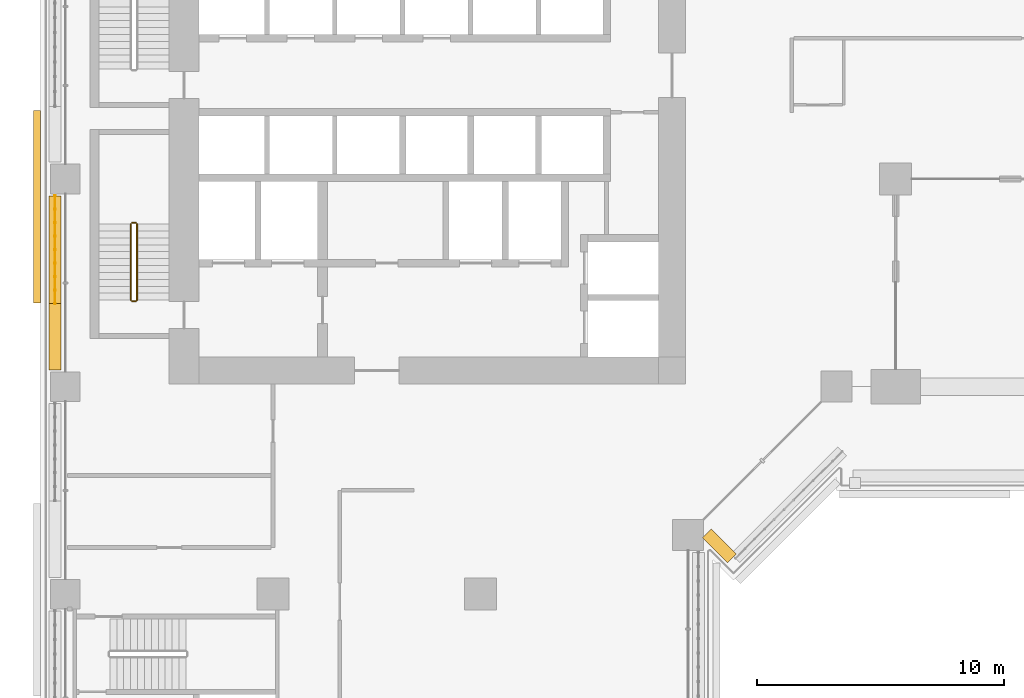
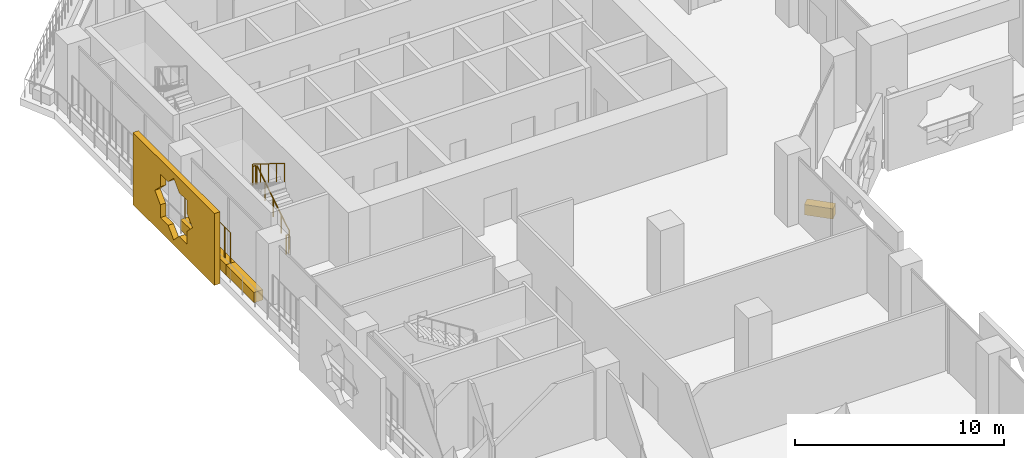
# One storey, part 20 of 27: 5 railings, 4 coverings.
"""IFC4 building model written with IfcOpenShell, lengths in metres."""

from ifc_helpers import new_model, si_unit, direction, frame, origin, origin_2d, place, context, subcontext, project, spatial, polyline, rectangle, circle, outline, extrude, material, material_profile, profile_set, type_object, element, save


model = new_model("IFC4")

# Units and contexts
model_context = context("Model", 3, precision=1e-05, world=origin(), true_north=direction((0.0, 1.0)))
body_context = subcontext(model_context, "Body", "Model", "MODEL_VIEW")
ifc_project = project(units=[si_unit("LENGTHUNIT", "METRE"), si_unit("AREAUNIT", "SQUARE_METRE"), si_unit("VOLUMEUNIT", "CUBIC_METRE"), si_unit("PLANEANGLEUNIT", "RADIAN"), si_unit("MASSUNIT", "GRAM", prefix="KILO")], contexts=[model_context])

# Site, building, storey
site_placement = place(None, origin())
site = spatial("IfcSite", under=ifc_project, at=site_placement, CompositionType="ELEMENT")
building_placement = place(site_placement, origin())
building = spatial("IfcBuilding", under=site, at=building_placement, Name="Kawkab Arch Medical Tower", CompositionType="ELEMENT")
storey_placement = place(building_placement, frame((0.0, 0.0, 39.199951171875)))
storey = spatial("IfcBuildingStorey", under=building, at=storey_placement, Name="L08", CompositionType="ELEMENT", Elevation=39.199951171875)

# Coverings
ifc_material_1 = material(Name="Bronze anodised aluminium mashrabiya panel, eight-point star pattern", Category="aluminium")
ifc_material_profile_1 = material_profile(ifc_material_1, outline(polyline([(-3.89990234375, -2.10009765625), (3.89990234375, -2.10009765625), (3.89990234375, 2.10009765625), (-3.89990234375, 2.10009765625), (-3.89990234375, -2.10009765625)]), holes=[polyline([(1.800048828125, 0.0), (1.272705078125, 0.527099609375), (1.272705078125, 1.272705078125), (0.527099609375, 1.272705078125), (0.0, 1.800048828125), (-0.527099609375, 1.272705078125), (-1.272705078125, 1.272705078125), (-1.272705078125, 0.527099609375), (-1.800048828125, 0.0), (-1.272705078125, -0.527099609375), (-1.272705078125, -1.272705078125), (-0.527099609375, -1.272705078125), (0.0, -1.800048828125), (0.527099609375, -1.272705078125), (1.272705078125, -1.272705078125), (1.272705078125, -0.527099609375), (1.800048828125, 0.0)])]), Name="Mashrabiya panel 7800x4200")
ifc_profile_set_1 = profile_set([ifc_material_profile_1], Name="Bronze anodised aluminium mashrabiya panel, eight-point star pattern")
covering_type_1 = type_object("IfcCoveringType", Name="Mashrabiya panel 7800 x 4200", PredefinedType="USERDEFINED", material=ifc_profile_set_1)
covering_1_placement = place(storey_placement, frame((-1.0, -17.923583984375, 1.699951171875), z_axis=(-1.0, 0.0, 0.0), x_axis=(0.0, -1.0, 0.0)))
element("IfcCovering", 1, at=covering_1_placement, inside=storey, type_object=covering_type_1, Name="Mashrabiya panel L08.LOG-01-01.5", ObjectType="SCREEN", PredefinedType="USERDEFINED", context=body_context, shape_type="SweptSolid", body=[
    extrude(outline(polyline([(-3.89990234375, -2.10009765625), (3.89990234375, -2.10009765625), (3.89990234375, 2.10009765625), (-3.89990234375, 2.10009765625), (-3.89990234375, -2.10009765625)]), holes=[polyline([(1.800048828125, 0.0), (1.272705078125, 0.527099609375), (1.272705078125, 1.272705078125), (0.527099609375, 1.272705078125), (0.0, 1.800048828125), (-0.527099609375, 1.272705078125), (-1.272705078125, 1.272705078125), (-1.272705078125, 0.527099609375), (-1.800048828125, 0.0), (-1.272705078125, -0.527099609375), (-1.272705078125, -1.272705078125), (-0.527099609375, -1.272705078125), (0.0, -1.800048828125), (0.527099609375, -1.272705078125), (1.272705078125, -1.272705078125), (1.272705078125, -0.527099609375), (1.800048828125, 0.0)])]), origin(), (0.0, 0.0, 1.0), 0.300048828125),
])
ifc_material_2 = material(Name="Planting soil in a precast trough", Category="concrete")
ifc_material_profile_2 = material_profile(ifc_material_2, rectangle(XDim=0.5, YDim=0.60009765625, at=origin_2d()), Name="Trough 500x600")
ifc_profile_set_2 = profile_set([ifc_material_profile_2], Name="Planting soil in a precast trough")
covering_type_2 = type_object("IfcCoveringType", Name="Planter trough 500 x 600", PredefinedType="USERDEFINED", material=ifc_profile_set_2)
covering_2_placement = place(storey_placement, frame((-0.419921875, -24.52001953125, 0.300048828125), z_axis=(0.0, 1.0, 0.0), x_axis=(-1.0, 0.0, 0.0)))
element("IfcCovering", 2, at=covering_2_placement, inside=storey, type_object=covering_type_2, Name="Planter L08.LOG-01-01.18", ObjectType="PLANTER", PredefinedType="USERDEFINED", context=body_context, shape_type="SweptSolid", body=[
    extrude(rectangle(XDim=0.5, YDim=0.60009765625, at=origin_2d()), origin(), (0.0, 0.0, 1.0), 2.68310546875),
])
covering_3_placement = place(storey_placement, frame((-0.419921875, -21.8369140625, 0.300048828125), z_axis=(0.0, 1.0, 0.0), x_axis=(-1.0, 0.0, 0.0)))
element("IfcCovering", 3, at=covering_3_placement, inside=storey, type_object=covering_type_2, Name="Planter L08.LOG-01-01.19", ObjectType="PLANTER", PredefinedType="USERDEFINED", context=body_context, shape_type="SweptSolid", body=[
    extrude(rectangle(XDim=0.5, YDim=0.60009765625, at=origin_2d()), origin(), (0.0, 0.0, 1.0), 4.35693359375),
])
covering_4_placement = place(storey_placement, frame((26.967041015625, -32.14697265625, 0.300048828125), z_axis=(-0.707192746389, 0.707020805532, 0.0), x_axis=(-0.707020805532, -0.707192746389, 0.0)))
element("IfcCovering", 4, at=covering_4_placement, inside=storey, type_object=covering_type_2, Name="Planter L08.LOG-01-01.48", ObjectType="PLANTER", PredefinedType="USERDEFINED", context=body_context, shape_type="SweptSolid", body=[
    extrude(rectangle(XDim=0.5, YDim=0.60009765625, at=origin_2d()), origin(), (0.0, 0.0, 1.0), 1.419921875),
])

# Railings
ifc_material_3 = material(Name="Bronze anodised aluminium trellis for climbing plants", Category="aluminium")
railing_type_1 = type_object("IfcRailingType", Name="Planting trellis 2400", PredefinedType="USERDEFINED", material=ifc_material_3)
railing_1_placement = place(storey_placement, frame((-0.419921875, -21.8369140625, 0.0)))
element("IfcRailing", 5, at=railing_1_placement, inside=storey, type_object=railing_type_1, Name="Planting trellis L08.LOG-01-01.19", ObjectType="TRELLIS", PredefinedType="USERDEFINED", context=body_context, shape_type="SweptSolid", body=[
    extrude(circle(Radius=0.01513671875, at=origin_2d()), frame((0.0, 0.0, 2.384765625), z_axis=(0.0, 1.0, 0.0), x_axis=(-1.0, 0.0, 0.0)), (0.0, 0.0, 1.0), 4.35693359375),
    extrude(circle(Radius=0.030029296875, at=origin_2d()), origin(), (0.0, 0.0, 1.0), 2.369873046875),
    extrude(circle(Radius=0.030029296875, at=origin_2d()), frame((0.0, 0.544677734375, 0.0)), (0.0, 0.0, 1.0), 2.369873046875),
    extrude(circle(Radius=0.030029296875, at=origin_2d()), frame((0.0, 1.08935546875, 0.0)), (0.0, 0.0, 1.0), 2.369873046875),
    extrude(circle(Radius=0.030029296875, at=origin_2d()), frame((0.0, 1.6337890625, 0.0)), (0.0, 0.0, 1.0), 2.369873046875),
    extrude(circle(Radius=0.030029296875, at=origin_2d()), frame((0.0, 2.178466796875, 0.0)), (0.0, 0.0, 1.0), 2.369873046875),
    extrude(circle(Radius=0.030029296875, at=origin_2d()), frame((0.0, 2.72314453125, 0.0)), (0.0, 0.0, 1.0), 2.369873046875),
    extrude(circle(Radius=0.030029296875, at=origin_2d()), frame((0.0, 3.267578125, 0.0)), (0.0, 0.0, 1.0), 2.369873046875),
    extrude(circle(Radius=0.030029296875, at=origin_2d()), frame((0.0, 3.812255859375, 0.0)), (0.0, 0.0, 1.0), 2.369873046875),
    extrude(circle(Radius=0.030029296875, at=origin_2d()), frame((0.0, 4.35693359375, 0.0)), (0.0, 0.0, 1.0), 2.369873046875),
])
ifc_material_4 = material(Name="Stainless steel", Category="steel")
railing_type_2 = type_object("IfcRailingType", Name="Stair guard 1100", PredefinedType="GUARDRAIL", material=ifc_material_4)
railing_2_placement = place(storey_placement, frame((2.89990234375, -21.699951171875, 0.175048828125)))
element("IfcRailing", 6, at=railing_2_placement, inside=storey, type_object=railing_type_2, Name="L08 ST2 stair guard 1", PredefinedType="GUARDRAIL", context=body_context, shape_type="SweptSolid", body=[
    extrude(circle(Radius=0.02392578125, at=origin_2d()), frame((0.0, 0.0, 1.076171875), z_axis=(0.0, 0.847979421464, 0.530029150871), x_axis=(-1.0, 0.0, 0.0)), (0.0, 0.0, 1.0), 3.632080078125),
    extrude(circle(Radius=0.02099609375, at=origin_2d()), origin(), (0.0, 0.0, 1.0), 1.052001953125),
    extrude(circle(Radius=0.02099609375, at=origin_2d()), frame((0.0, 0.77001953125, 0.481201171875)), (0.0, 0.0, 1.0), 1.052001953125),
    extrude(circle(Radius=0.02099609375, at=origin_2d()), frame((0.0, 1.5400390625, 0.96240234375)), (0.0, 0.0, 1.0), 1.052001953125),
    extrude(circle(Radius=0.02099609375, at=origin_2d()), frame((0.0, 2.309814453125, 1.44384765625)), (0.0, 0.0, 1.0), 1.052001953125),
    extrude(circle(Radius=0.02099609375, at=origin_2d()), frame((0.0, 3.079833984375, 1.925048828125)), (0.0, 0.0, 1.0), 1.052001953125),
])
railing_3_placement = place(storey_placement, frame((2.85009765625, -18.570068359375, 2.10009765625)))
element("IfcRailing", 7, at=railing_3_placement, inside=storey, type_object=railing_type_2, Name="L08 ST2 stair guard 2", PredefinedType="GUARDRAIL", context=body_context, shape_type="SweptSolid", body=[
    extrude(circle(Radius=0.02392578125, at=origin_2d()), frame((0.0, 0.0, 1.076171875), z_axis=(-1.0, 0.0, 0.0), x_axis=(0.0, -1.0, 0.0)), (0.0, 0.0, 1.0), 0.150146484375),
    extrude(circle(Radius=0.02099609375, at=origin_2d()), origin(), (0.0, 0.0, 1.0), 1.052001953125),
    extrude(circle(Radius=0.02099609375, at=origin_2d()), frame((-0.150146484375, 0.0, 0.0)), (0.0, 0.0, 1.0), 1.052001953125),
])
railing_4_placement = place(storey_placement, frame((2.64990234375, -18.6201171875, 2.275146484375)))
element("IfcRailing", 8, at=railing_4_placement, inside=storey, type_object=railing_type_2, Name="L08 ST2 stair guard 3", PredefinedType="GUARDRAIL", context=body_context, shape_type="SweptSolid", body=[
    extrude(circle(Radius=0.02392578125, at=origin_2d()), frame((0.0, 0.0, 1.076171875), z_axis=(0.0, -0.848009633417, 0.529980812513), x_axis=(1.0, 0.0, 0.0)), (0.0, 0.0, 1.0), 3.6318359375),
    extrude(circle(Radius=0.02099609375, at=origin_2d()), origin(), (0.0, 0.0, 1.0), 1.052001953125),
    extrude(circle(Radius=0.02099609375, at=origin_2d()), frame((0.0, -0.77001953125, 0.481201171875)), (0.0, 0.0, 1.0), 1.052001953125),
    extrude(circle(Radius=0.02099609375, at=origin_2d()), frame((0.0, -1.5400390625, 0.96240234375)), (0.0, 0.0, 1.0), 1.052001953125),
    extrude(circle(Radius=0.02099609375, at=origin_2d()), frame((0.0, -2.309814453125, 1.443603515625)), (0.0, 0.0, 1.0), 1.052001953125),
    extrude(circle(Radius=0.02099609375, at=origin_2d()), frame((0.0, -3.079833984375, 1.9248046875)), (0.0, 0.0, 1.0), 1.052001953125),
])
railing_5_placement = place(storey_placement, frame((2.85009765625, -21.75, 0.0)))
element("IfcRailing", 9, at=railing_5_placement, inside=storey, type_object=railing_type_2, Name="L08 ST2 stair guard 4", PredefinedType="GUARDRAIL", context=body_context, shape_type="SweptSolid", body=[
    extrude(circle(Radius=0.02392578125, at=origin_2d()), frame((0.0, 0.0, 1.076171875), z_axis=(-1.0, 0.0, 0.0), x_axis=(0.0, -1.0, 0.0)), (0.0, 0.0, 1.0), 0.150146484375),
    extrude(circle(Radius=0.02099609375, at=origin_2d()), origin(), (0.0, 0.0, 1.0), 1.052001953125),
    extrude(circle(Radius=0.02099609375, at=origin_2d()), frame((-0.150146484375, 0.0, 0.0)), (0.0, 0.0, 1.0), 1.052001953125),
])

save(model, "model.ifc")
